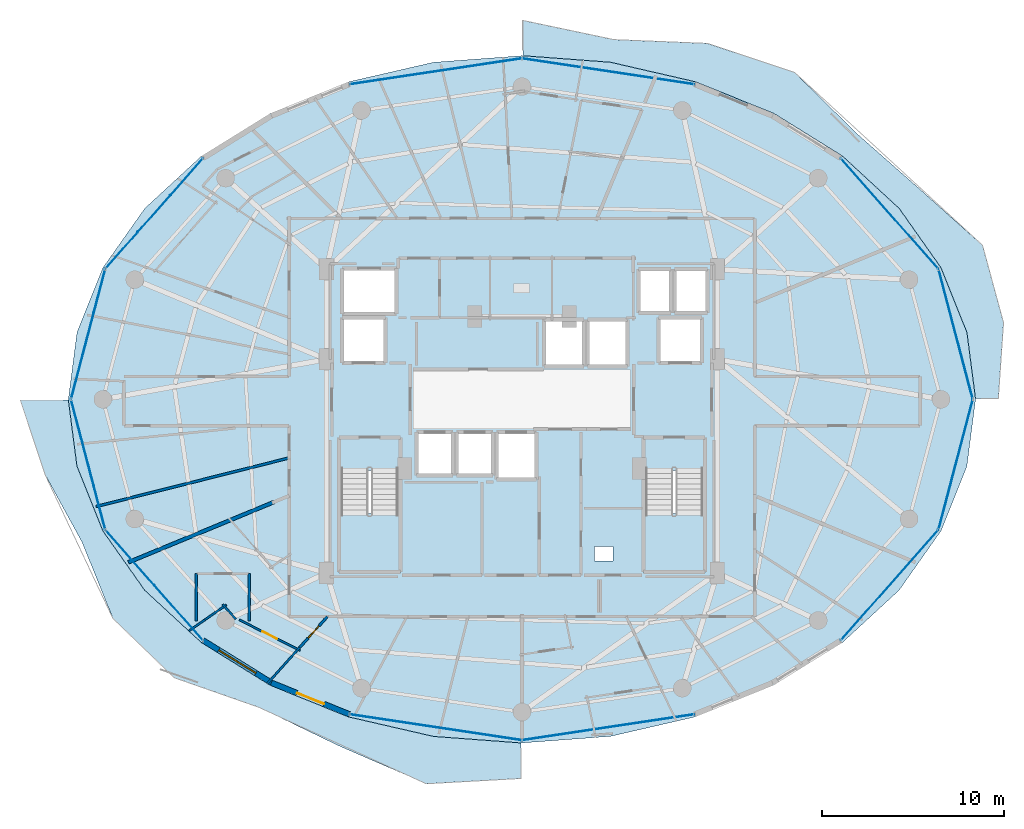
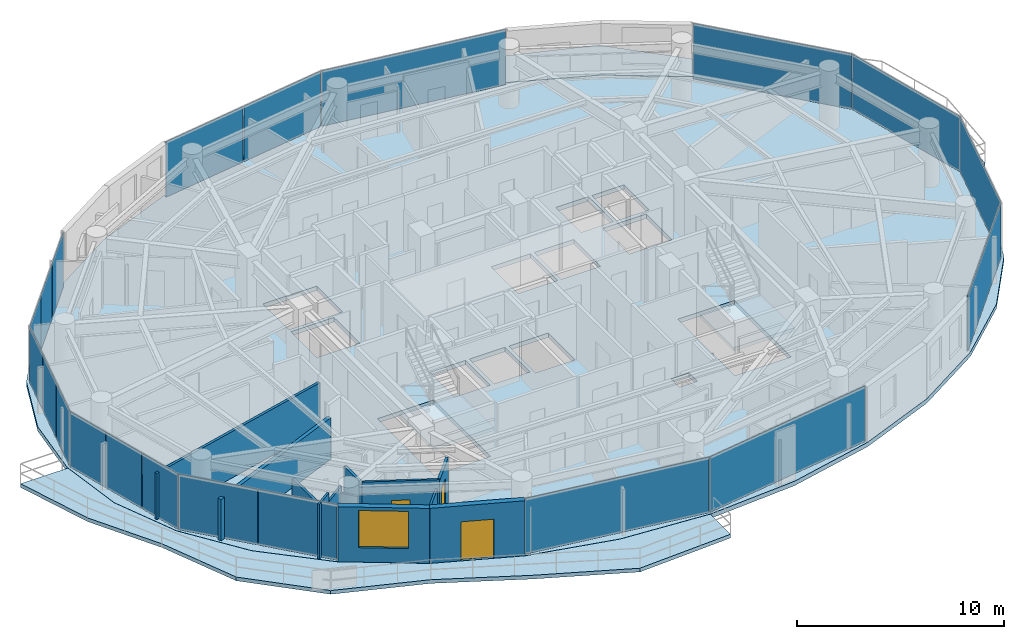
# One storey, part 19 of 28: 20 plates, 12 walls, 5 slabs, 3 doors, 1 window, 4 openings, 6 elements without a shape of their own.
"""IFC4 building model written with IfcOpenShell, lengths in metres."""

from ifc_helpers import new_model, si_unit, direction, frame, frame_2d, origin, origin_2d, place, context, subcontext, project, spatial, polyline, rectangle, outline, extrude, material, layer, layer_set, type_object, element, fill, aggregate, save


model = new_model("IFC4")

# Units and contexts
model_context = context("Model", 3, precision=1e-05, world=origin(), true_north=direction((0.0, 1.0)))
body_context = subcontext(model_context, "Body", "Model", "MODEL_VIEW")
ifc_project = project(units=[si_unit("LENGTHUNIT", "METRE"), si_unit("AREAUNIT", "SQUARE_METRE"), si_unit("VOLUMEUNIT", "CUBIC_METRE"), si_unit("PLANEANGLEUNIT", "RADIAN"), si_unit("MASSUNIT", "GRAM", prefix="KILO")], contexts=[model_context])

# Site, building, storey
site_placement = place(None, origin())
site = spatial("IfcSite", under=ifc_project, at=site_placement, CompositionType="ELEMENT")
building_placement = place(site_placement, origin())
building = spatial("IfcBuilding", under=site, at=building_placement, Name="Vorneva Point Tower", CompositionType="ELEMENT")
storey_placement = place(building_placement, frame((0.0, 0.0, 164.10009765625)))
storey = spatial("IfcBuildingStorey", under=building, at=storey_placement, Name="L44", CompositionType="ELEMENT", Elevation=164.10009765625)

# Curtain wall, plates
ifc_material_1 = material(Name="Pale anodised aluminium", Category="aluminium")
curtain_wall_type = type_object("IfcCurtainWallType", Name="CW-RES-SYS", PredefinedType="NOTDEFINED", material=ifc_material_1)
curtain_wall_1_placement = place(storey_placement, origin())
curtain_wall_1 = element("IfcCurtainWall", 1, at=curtain_wall_1_placement, inside=storey, type_object=curtain_wall_type, Name="L44 Unitised Curtain Wall CW-L44-R01", PredefinedType="NOTDEFINED")
ifc_material_2 = material(Name="Double low-e laminated glass IGU", Category="glass")
ifc_layer_1 = layer(ifc_material_2, 0.035888671875)
ifc_layer_set_1 = layer_set([ifc_layer_1], Name="Double low-e laminated glass IGU")
plate_type = type_object("IfcPlateType", Name="CW-PNL-VIS", PredefinedType="CURTAIN_PANEL", material=ifc_layer_set_1)
plate_1_placement = place(storey_placement, frame((58.22412109375, 15.783203125, -0.02001953125), z_axis=(0.0, 0.0, 1.0), x_axis=(0.662214727207, 0.749314123095, 0.0)))
plate_1 = element("IfcPlate", 2, at=plate_1_placement, type_object=plate_type, Name="CW-L44-R01 Glazed Panel 01", PredefinedType="CURTAIN_PANEL", context=body_context, shape_type="SweptSolid", body=[
    extrude(rectangle(XDim=8.068115234375, YDim=0.035888671875, at=origin_2d()), origin(), (0.0, 0.0, 1.0), 3.280029296875),
])
plate_2_placement = place(storey_placement, frame((61.856201171875, 22.412353515625, -0.02001953125), z_axis=(0.0, 0.0, 1.0), x_axis=(0.254433162972, 0.967090360608, 0.0)))
plate_2 = element("IfcPlate", 3, at=plate_2_placement, type_object=plate_type, Name="CW-L44-R01 Glazed Panel 02", PredefinedType="CURTAIN_PANEL", context=body_context, shape_type="SweptSolid", body=[
    extrude(rectangle(XDim=7.369384765625, YDim=0.035888671875, at=origin_2d()), origin(), (0.0, 0.0, 1.0), 3.280029296875),
])
plate_3_placement = place(storey_placement, frame((61.856201171875, 29.587646484375, -0.02001953125), z_axis=(0.0, 0.0, 1.0), x_axis=(-0.254433162972, 0.967090360608, 0.0)))
plate_3 = element("IfcPlate", 4, at=plate_3_placement, type_object=plate_type, Name="CW-L44-R01 Glazed Panel 03", PredefinedType="CURTAIN_PANEL", context=body_context, shape_type="SweptSolid", body=[
    extrude(rectangle(XDim=7.369384765625, YDim=0.035888671875, at=origin_2d()), origin(), (0.0, 0.0, 1.0), 3.280029296875),
])
plate_4_placement = place(storey_placement, frame((58.22412109375, 36.216796875, -0.02001953125), z_axis=(0.0, 0.0, 1.0), x_axis=(-0.662214727207, 0.749314123095, 0.0)))
plate_4 = element("IfcPlate", 5, at=plate_4_placement, type_object=plate_type, Name="CW-L44-R01 Glazed Panel 04", PredefinedType="CURTAIN_PANEL", context=body_context, shape_type="SweptSolid", body=[
    extrude(rectangle(XDim=8.068115234375, YDim=0.035888671875, at=origin_2d()), origin(), (0.0, 0.0, 1.0), 3.280029296875),
])
aggregate(curtain_wall_1, [plate_1, plate_2, plate_3, plate_4])

curtain_wall_2_placement = place(storey_placement, origin())
curtain_wall_2 = element("IfcCurtainWall", 6, at=curtain_wall_2_placement, inside=storey, type_object=curtain_wall_type, Name="L44 Unitised Curtain Wall CW-L44-R02", PredefinedType="NOTDEFINED")
plate_5_placement = place(storey_placement, frame((42.7451171875, 44.036376953125, -0.02001953125), z_axis=(0.0, 0.0, 1.0), x_axis=(-0.988878712919, 0.148724211669, 0.0)))
plate_5 = element("IfcPlate", 7, at=plate_5_placement, type_object=plate_type, Name="CW-L44-R02 Glazed Panel 01", PredefinedType="CURTAIN_PANEL", context=body_context, shape_type="SweptSolid", body=[
    extrude(rectangle(XDim=9.547119140625, YDim=0.035888671875, at=origin_2d()), origin(), (0.0, 0.0, 1.0), 3.280029296875),
])
plate_6_placement = place(storey_placement, frame((35.62744140625, 44.393310546875, -0.02001953125), z_axis=(0.0, 0.0, 1.0), x_axis=(-0.988878712919, -0.148724211669, 0.0)))
plate_6 = element("IfcPlate", 8, at=plate_6_placement, type_object=plate_type, Name="CW-L44-R02 Glazed Panel 02A", PredefinedType="CURTAIN_PANEL", context=body_context, shape_type="SweptSolid", body=[
    extrude(rectangle(XDim=4.74853515625, YDim=0.035888671875, at=origin_2d()), origin(), (0.0, 0.0, 1.0), 3.280029296875),
])
plate_7_placement = place(storey_placement, frame((30.882080078125, 43.679443359375, -0.02001953125), z_axis=(0.0, 0.0, 1.0), x_axis=(-0.988878712919, -0.148724211669, 0.0)))
plate_7 = element("IfcPlate", 9, at=plate_7_placement, type_object=plate_type, Name="CW-L44-R02 Glazed Panel 02B", PredefinedType="CURTAIN_PANEL", context=body_context, shape_type="SweptSolid", body=[
    extrude(rectangle(XDim=4.74853515625, YDim=0.035888671875, at=origin_2d()), origin(), (0.0, 0.0, 1.0), 3.280029296875),
])
aggregate(curtain_wall_2, [plate_5, plate_6, plate_7])

curtain_wall_3_placement = place(storey_placement, origin())
curtain_wall_3 = element("IfcCurtainWall", 10, at=curtain_wall_3_placement, inside=storey, type_object=curtain_wall_type, Name="L44 Unitised Curtain Wall CW-L44-R03", PredefinedType="NOTDEFINED")
plate_8_placement = place(storey_placement, frame((19.56787109375, 38.244384765625, -0.02001953125), z_axis=(0.0, 0.0, 1.0), x_axis=(-0.662214727207, -0.749314123095, 0.0)))
plate_8 = element("IfcPlate", 11, at=plate_8_placement, type_object=plate_type, Name="CW-L44-R03 Glazed Panel 01A", PredefinedType="CURTAIN_PANEL", context=body_context, shape_type="SweptSolid", body=[
    extrude(rectangle(XDim=2.656005859375, YDim=0.035888671875, at=origin_2d()), origin(), (0.0, 0.0, 1.0), 3.280029296875),
])
plate_9_placement = place(storey_placement, frame((17.77587890625, 36.216796875, -0.02001953125), z_axis=(0.0, 0.0, 1.0), x_axis=(-0.662214727207, -0.749314123095, 0.0)))
plate_9 = element("IfcPlate", 12, at=plate_9_placement, type_object=plate_type, Name="CW-L44-R03 Glazed Panel 01B", PredefinedType="CURTAIN_PANEL", context=body_context, shape_type="SweptSolid", body=[
    extrude(rectangle(XDim=2.656005859375, YDim=0.035888671875, at=origin_2d()), origin(), (0.0, 0.0, 1.0), 3.280029296875),
])
plate_10_placement = place(storey_placement, frame((15.98388671875, 34.189208984375, -0.02001953125), z_axis=(0.0, 0.0, 1.0), x_axis=(-0.662214727207, -0.749314123095, 0.0)))
plate_10 = element("IfcPlate", 13, at=plate_10_placement, type_object=plate_type, Name="CW-L44-R03 Glazed Panel 01C", PredefinedType="CURTAIN_PANEL", context=body_context, shape_type="SweptSolid", body=[
    extrude(rectangle(XDim=2.656005859375, YDim=0.035888671875, at=origin_2d()), origin(), (0.0, 0.0, 1.0), 3.280029296875),
])
plate_11_placement = place(storey_placement, frame((14.773193359375, 31.9794921875, -0.02001953125), z_axis=(0.0, 0.0, 1.0), x_axis=(-0.254433162972, -0.967090360608, 0.0)))
plate_11 = element("IfcPlate", 14, at=plate_11_placement, type_object=plate_type, Name="CW-L44-R03 Glazed Panel 02A", PredefinedType="CURTAIN_PANEL", context=body_context, shape_type="SweptSolid", body=[
    extrude(rectangle(XDim=2.423095703125, YDim=0.035888671875, at=origin_2d()), origin(), (0.0, 0.0, 1.0), 3.280029296875),
])
plate_12_placement = place(storey_placement, frame((14.143798828125, 29.587646484375, -0.02001953125), z_axis=(0.0, 0.0, 1.0), x_axis=(-0.254433162972, -0.967090360608, 0.0)))
plate_12 = element("IfcPlate", 15, at=plate_12_placement, type_object=plate_type, Name="CW-L44-R03 Glazed Panel 02B", PredefinedType="CURTAIN_PANEL", context=body_context, shape_type="SweptSolid", body=[
    extrude(rectangle(XDim=2.423095703125, YDim=0.035888671875, at=origin_2d()), origin(), (0.0, 0.0, 1.0), 3.280029296875),
])
plate_13_placement = place(storey_placement, frame((13.5146484375, 27.19580078125, -0.02001953125), z_axis=(0.0, 0.0, 1.0), x_axis=(-0.254433162972, -0.967090360608, 0.0)))
plate_13 = element("IfcPlate", 16, at=plate_13_placement, type_object=plate_type, Name="CW-L44-R03 Glazed Panel 02C", PredefinedType="CURTAIN_PANEL", context=body_context, shape_type="SweptSolid", body=[
    extrude(rectangle(XDim=2.423095703125, YDim=0.035888671875, at=origin_2d()), origin(), (0.0, 0.0, 1.0), 3.280029296875),
])
plate_14_placement = place(storey_placement, frame((13.5146484375, 24.80419921875, -0.02001953125), z_axis=(0.0, 0.0, 1.0), x_axis=(0.254433162972, -0.967090360608, 0.0)))
plate_14 = element("IfcPlate", 17, at=plate_14_placement, type_object=plate_type, Name="CW-L44-R03 Glazed Panel 03A", PredefinedType="CURTAIN_PANEL", context=body_context, shape_type="SweptSolid", body=[
    extrude(rectangle(XDim=2.423095703125, YDim=0.035888671875, at=origin_2d()), origin(), (0.0, 0.0, 1.0), 3.280029296875),
])
plate_15_placement = place(storey_placement, frame((14.143798828125, 22.412353515625, -0.02001953125), z_axis=(0.0, 0.0, 1.0), x_axis=(0.254433162972, -0.967090360608, 0.0)))
plate_15 = element("IfcPlate", 18, at=plate_15_placement, type_object=plate_type, Name="CW-L44-R03 Glazed Panel 03B", PredefinedType="CURTAIN_PANEL", context=body_context, shape_type="SweptSolid", body=[
    extrude(rectangle(XDim=2.423095703125, YDim=0.035888671875, at=origin_2d()), origin(), (0.0, 0.0, 1.0), 3.280029296875),
])
plate_16_placement = place(storey_placement, frame((14.773193359375, 20.0205078125, -0.02001953125), z_axis=(0.0, 0.0, 1.0), x_axis=(0.254433162972, -0.967090360608, 0.0)))
plate_16 = element("IfcPlate", 19, at=plate_16_placement, type_object=plate_type, Name="CW-L44-R03 Glazed Panel 03C", PredefinedType="CURTAIN_PANEL", context=body_context, shape_type="SweptSolid", body=[
    extrude(rectangle(XDim=2.423095703125, YDim=0.035888671875, at=origin_2d()), origin(), (0.0, 0.0, 1.0), 3.280029296875),
])
plate_17_placement = place(storey_placement, frame((16.431884765625, 17.303955078125, -0.02001953125), z_axis=(0.0, 0.0, 1.0), x_axis=(0.662214727207, -0.749314123095, 0.0)))
plate_17 = element("IfcPlate", 20, at=plate_17_placement, type_object=plate_type, Name="CW-L44-R03 Glazed Panel 04A", PredefinedType="CURTAIN_PANEL", context=body_context, shape_type="SweptSolid", body=[
    extrude(rectangle(XDim=4.009033203125, YDim=0.035888671875, at=origin_2d()), origin(), (0.0, 0.0, 1.0), 3.280029296875),
])
plate_18_placement = place(storey_placement, frame((19.119873046875, 14.262451171875, -0.02001953125), z_axis=(0.0, 0.0, 1.0), x_axis=(0.662214727207, -0.749314123095, 0.0)))
plate_18 = element("IfcPlate", 21, at=plate_18_placement, type_object=plate_type, Name="CW-L44-R03 Glazed Panel 04B", PredefinedType="CURTAIN_PANEL", context=body_context, shape_type="SweptSolid", body=[
    extrude(rectangle(XDim=4.009033203125, YDim=0.035888671875, at=origin_2d()), origin(), (0.0, 0.0, 1.0), 3.280029296875),
])
aggregate(curtain_wall_3, [plate_8, plate_9, plate_10, plate_11, plate_12, plate_13, plate_14, plate_15, plate_16, plate_17, plate_18])

curtain_wall_4_placement = place(storey_placement, origin())
curtain_wall_4 = element("IfcCurtainWall", 22, at=curtain_wall_4_placement, inside=storey, type_object=curtain_wall_type, Name="L44 Unitised Curtain Wall CW-L44-R04", PredefinedType="NOTDEFINED")
plate_19_placement = place(storey_placement, frame((33.2548828125, 7.963623046875, -0.02001953125), z_axis=(0.0, 0.0, 1.0), x_axis=(0.988878712919, -0.148724211669, 0.0)))
plate_19 = element("IfcPlate", 23, at=plate_19_placement, type_object=plate_type, Name="CW-L44-R04 Glazed Panel 01", PredefinedType="CURTAIN_PANEL", context=body_context, shape_type="SweptSolid", body=[
    extrude(rectangle(XDim=9.547119140625, YDim=0.035888671875, at=origin_2d()), origin(), (0.0, 0.0, 1.0), 3.280029296875),
])
plate_20_placement = place(storey_placement, frame((42.7451171875, 7.963623046875, -0.02001953125), z_axis=(0.0, 0.0, 1.0), x_axis=(0.988878712919, 0.148724211669, 0.0)))
plate_20 = element("IfcPlate", 24, at=plate_20_placement, type_object=plate_type, Name="CW-L44-R04 Glazed Panel 02", PredefinedType="CURTAIN_PANEL", context=body_context, shape_type="SweptSolid", body=[
    extrude(rectangle(XDim=9.547119140625, YDim=0.035888671875, at=origin_2d()), origin(), (0.0, 0.0, 1.0), 3.280029296875),
])
aggregate(curtain_wall_4, [plate_19, plate_20])

# Slabs
ifc_material_3 = material(Name="Concrete B50 (C40/50)", Category="concrete")
ifc_layer_2 = layer(ifc_material_3, 0.219970703125)
ifc_layer_set_2 = layer_set([ifc_layer_2], Name="Concrete B50 (C40/50)")
slab_type_1 = type_object("IfcSlabType", Name="SLB-BAL-220", PredefinedType="FLOOR", material=ifc_layer_set_2)
slab_1_placement = place(storey_placement, frame((0.0, 0.0, -0.22021484375)))
element("IfcSlab", 25, at=slab_1_placement, inside=storey, type_object=slab_type_1, Name="L44 Cantilevered Wave Balcony NE", PredefinedType="FLOOR", context=body_context, shape_type="SweptSolid", body=[
    extrude(outline(polyline([(38.050048828125, 46.839599609375), (38.050048828125, 44.900390625), (42.867919921875, 44.540771484375), (42.8681640625, 44.540771484375), (42.868408203125, 44.540771484375), (47.548828125, 43.465087890625), (47.54931640625, 43.465087890625), (47.549560546875, 43.465087890625), (51.863037109375, 41.718505859375), (51.86328125, 41.718505859375), (51.863525390625, 41.71826171875), (55.644287109375, 39.36767578125), (55.644775390625, 39.367431640625), (55.64501953125, 39.3671875), (58.747802734375, 36.503173828125), (58.748291015625, 36.5029296875), (58.74853515625, 36.502685546875), (61.05419921875, 33.235107421875), (61.05419921875, 33.234619140625), (61.054443359375, 33.234130859375), (62.474365234375, 29.688720703125), (62.474365234375, 29.6884765625), (62.474609375, 29.68798828125), (62.474609375, 29.687744140625), (62.947509765625, 26.050048828125), (64.203369140625, 26.050048828125), (64.48876953125, 30.217041015625), (63.3291015625, 34.478515625), (59.916015625, 37.532958984375), (56.52099609375, 40.524169921875), (53.0048828125, 43.973876953125), (48.2119140625, 45.577392578125), (43.055908203125, 45.7861328125), (38.050048828125, 46.839599609375)])), origin(), (0.0, 0.0, 1.0), 0.22021484375),
])
slab_2_placement = place(storey_placement, frame((0.0, 0.0, -0.22021484375)))
element("IfcSlab", 26, at=slab_2_placement, inside=storey, type_object=slab_type_1, Name="L44 Cantilevered Wave Balcony SW", PredefinedType="FLOOR", context=body_context, shape_type="SweptSolid", body=[
    extrude(outline(polyline([(37.949951171875, 5.147216796875), (37.949951171875, 7.099609375), (33.132080078125, 7.459228515625), (33.1318359375, 7.459228515625), (33.131591796875, 7.459228515625), (28.451171875, 8.534912109375), (28.45068359375, 8.534912109375), (28.450439453125, 8.534912109375), (24.136962890625, 10.281494140625), (24.13671875, 10.281494140625), (24.136474609375, 10.28173828125), (20.355712890625, 12.63232421875), (20.355224609375, 12.632568359375), (20.35498046875, 12.6328125), (17.252197265625, 15.496826171875), (17.251708984375, 15.4970703125), (17.25146484375, 15.497314453125), (14.94580078125, 18.764892578125), (14.94580078125, 18.765380859375), (14.945556640625, 18.765869140625), (13.525634765625, 22.311279296875), (13.525634765625, 22.3115234375), (13.525390625, 22.31201171875), (13.525390625, 22.312255859375), (13.052490234375, 25.949951171875), (10.41650390625, 25.949951171875), (11.775390625, 21.852294921875), (13.8056640625, 18.14208984375), (15.500732421875, 13.952392578125), (18.88134765625, 10.686767578125), (23.520751953125, 9.064697265625), (27.948486328125, 6.93359375), (32.73974609375, 4.85595703125), (37.949951171875, 5.147216796875)])), origin(), (0.0, 0.0, 1.0), 0.22021484375),
])

# Stair, slab
stair_type = type_object("IfcStairType", Name="ST-DOG-1500", PredefinedType="HALF_TURN_STAIR", material=ifc_material_3)
stair_1_placement = place(storey_placement, origin())
stair_1 = element("IfcStair", 27, at=stair_1_placement, inside=storey, type_object=stair_type, Name="L44 ST1", PredefinedType="HALF_TURN_STAIR")
ifc_layer_3 = layer(ifc_material_3, 0.199951171875)
ifc_layer_set_3 = layer_set([ifc_layer_3], Name="Concrete B50 (C40/50)")
slab_type_2 = type_object("IfcSlabType", Name="SLB-LND-200", PredefinedType="LANDING", material=ifc_layer_set_3)
slab_3_placement = place(storey_placement, frame((0.0, 0.0, 1.5498046875)))
slab_3 = element("IfcSlab", 28, at=slab_3_placement, type_object=slab_type_2, Name="ST1 landing 1", PredefinedType="LANDING", context=body_context, shape_type="SweptSolid", body=[
    extrude(outline(polyline([(27.929931640625, 16.47998046875), (31.320068359375, 16.47998046875), (31.320068359375, 19.72998046875), (27.929931640625, 19.72998046875), (27.929931640625, 16.47998046875)])), origin(), (0.0, 0.0, 1.0), 0.2001953125),
])
aggregate(stair_1, [slab_3])

stair_2_placement = place(storey_placement, origin())
stair_2 = element("IfcStair", 29, at=stair_2_placement, inside=storey, type_object=stair_type, Name="L44 ST2", PredefinedType="HALF_TURN_STAIR")
slab_4_placement = place(storey_placement, frame((0.0, 0.0, 1.5498046875)))
slab_4 = element("IfcSlab", 30, at=slab_4_placement, type_object=slab_type_2, Name="ST2 landing 1", PredefinedType="LANDING", context=body_context, shape_type="SweptSolid", body=[
    extrude(outline(polyline([(44.679931640625, 16.47998046875), (48.070068359375, 16.47998046875), (48.070068359375, 19.72998046875), (44.679931640625, 19.72998046875), (44.679931640625, 16.47998046875)])), origin(), (0.0, 0.0, 1.0), 0.2001953125),
])
aggregate(stair_2, [slab_4])

# Slab
ifc_layer_4 = layer(ifc_material_3, 0.260009765625)
ifc_layer_set_4 = layer_set([ifc_layer_4], Name="Concrete B50 (C40/50)")
slab_type_3 = type_object("IfcSlabType", Name="SLB-TYP-260", PredefinedType="FLOOR", material=ifc_layer_set_4)
slab_5_placement = place(storey_placement, frame((0.0, 0.0, -0.260009765625)))
element("IfcSlab", 31, at=slab_5_placement, inside=storey, type_object=slab_type_3, Name="L44 Structural Floor Plate", PredefinedType="FLOOR", context=body_context, shape_type="SweptSolid", body=[
    extrude(outline(polyline([(62.949951171875, 26.0), (62.470703125, 29.687255859375), (61.05078125, 33.232666015625), (58.7451171875, 36.500244140625), (55.642333984375, 39.3642578125), (51.861572265625, 41.71484375), (47.548095703125, 43.461181640625), (42.867431640625, 44.536865234375), (38.0, 44.89990234375), (33.132568359375, 44.536865234375), (28.451904296875, 43.461181640625), (24.138427734375, 41.71484375), (20.357666015625, 39.3642578125), (17.2548828125, 36.500244140625), (14.94921875, 33.232666015625), (13.529296875, 29.687255859375), (13.050048828125, 26.0), (13.529296875, 22.312744140625), (14.94921875, 18.767333984375), (17.2548828125, 15.499755859375), (20.357666015625, 12.6357421875), (24.138427734375, 10.28515625), (28.451904296875, 8.538818359375), (33.132568359375, 7.463134765625), (38.0, 7.10009765625), (42.867431640625, 7.463134765625), (47.548095703125, 8.538818359375), (51.861572265625, 10.28515625), (55.642333984375, 12.6357421875), (58.7451171875, 15.499755859375), (61.05078125, 18.767333984375), (62.470703125, 22.312744140625), (62.949951171875, 26.0)]), holes=[polyline([(32.199951171875, 21.800048828125), (34.199951171875, 21.800048828125), (34.199951171875, 24.199951171875), (32.199951171875, 24.199951171875), (32.199951171875, 21.800048828125)]), polyline([(34.39990234375, 21.800048828125), (36.39990234375, 21.800048828125), (36.39990234375, 24.199951171875), (34.39990234375, 24.199951171875), (34.39990234375, 21.800048828125)]), polyline([(36.60009765625, 21.60009765625), (38.800048828125, 21.60009765625), (38.800048828125, 24.199951171875), (36.60009765625, 24.199951171875), (36.60009765625, 21.60009765625)]), polyline([(39.199951171875, 27.800048828125), (41.39990234375, 27.800048828125), (41.39990234375, 30.39990234375), (39.199951171875, 30.39990234375), (39.199951171875, 27.800048828125)]), polyline([(41.60009765625, 27.800048828125), (43.800048828125, 27.800048828125), (43.800048828125, 30.39990234375), (41.60009765625, 30.39990234375), (41.60009765625, 27.800048828125)]), polyline([(44.39990234375, 30.739990234375), (46.199951171875, 30.739990234375), (46.199951171875, 33.159912109375), (44.39990234375, 33.159912109375), (44.39990234375, 30.739990234375)]), polyline([(46.39990234375, 30.739990234375), (48.199951171875, 30.739990234375), (48.199951171875, 33.159912109375), (46.39990234375, 33.159912109375), (46.39990234375, 30.739990234375)]), polyline([(28.10009765625, 28.0), (30.5, 28.0), (30.5, 30.5), (28.10009765625, 30.5), (28.10009765625, 28.0)]), polyline([(45.5, 28.0), (47.89990234375, 28.0), (47.89990234375, 30.5), (45.5, 30.5), (45.5, 28.0)]), polyline([(28.10009765625, 30.699951171875), (31.10009765625, 30.699951171875), (31.10009765625, 33.199951171875), (28.10009765625, 33.199951171875), (28.10009765625, 30.699951171875)]), polyline([(28.050048828125, 16.60009765625), (31.199951171875, 16.60009765625), (31.199951171875, 22.080078125), (28.050048828125, 22.080078125), (28.050048828125, 16.60009765625)]), polyline([(44.800048828125, 16.60009765625), (47.949951171875, 16.60009765625), (47.949951171875, 22.080078125), (44.800048828125, 22.080078125), (44.800048828125, 16.60009765625)]), polyline([(42.0, 17.10009765625), (43.0, 17.10009765625), (43.0, 17.89990234375), (42.0, 17.89990234375), (42.0, 17.10009765625)])]), origin(), (0.0, 0.0, 1.0), 0.260009765625),
])

# Wall, opening, window
ifc_material_4 = material(Name="Precast concrete B50 (C40/50)", Category="concrete")
ifc_layer_5 = layer(ifc_material_4, 0.300048828125)
ifc_layer_set_5 = layer_set([ifc_layer_5], Name="Precast concrete B50 (C40/50)")
wall_type_1 = type_object("IfcWallType", Name="WL-EXT-300", PredefinedType="STANDARD", material=ifc_layer_set_5)
wall_1_placement = place(storey_placement, frame((20.4638671875, 12.74169921875, 0.0), z_axis=(0.0, 0.0, 1.0), x_axis=(0.849721181976, -0.527232313977, 0.0)))
wall_1 = element("IfcWall", 32, at=wall_1_placement, inside=storey, type_object=wall_type_1, Name="L44 Pale-Metal Facade Spandrel Wall 11.1", PredefinedType="STANDARD", context=body_context, shape_type="SweptSolid", body=[
    extrude(rectangle(XDim=4.422607421875, YDim=0.300048828125, at=frame_2d((2.21142578125, 0.0))), origin(), (0.0, 0.0, 1.0), 3.239990234375),
])
opening_1_placement = place(wall_1_placement, frame((1.011474609375, 0.0, 0.85009765625)))
opening_1 = element("IfcOpeningElement", 33, at=opening_1_placement, cuts=wall_1, Name="Opening W-03", PredefinedType="OPENING", context=body_context, shape_type="SweptSolid", body=[
    extrude(rectangle(XDim=2.39990234375, YDim=2.18994140625, at=frame_2d((1.199951171875, 1.094970703125))), frame((0.0, 0.1650390625, 0.0), z_axis=(0.0, -1.0, 0.0), x_axis=(1.0, 0.0, 0.0)), (0.0, 0.0, 1.0), 0.329833984375),
])
window_type = type_object("IfcWindowType", Name="WN-RES-2400", PartitioningType="SINGLE_PANEL", PredefinedType="WINDOW", material=ifc_material_2)
window_placement = place(opening_1_placement, origin())
window = element("IfcWindow", 34, at=window_placement, inside=storey, type_object=window_type, Name="L44 Facade Window 11", OverallHeight=2.18994140625, OverallWidth=2.39990234375, PartitioningType="SINGLE_PANEL", PredefinedType="WINDOW", context=body_context, shape_type="SweptSolid", body=[
    extrude(rectangle(XDim=2.39990234375, YDim=2.18994140625, at=frame_2d((1.199951171875, 1.094970703125))), frame((0.0, 0.030029296875, 0.0), z_axis=(0.0, -1.0, 0.0), x_axis=(1.0, 0.0, 0.0)), (0.0, 0.0, 1.0), 0.06005859375),
])
fill(opening_1, window)

# Wall, opening, door
wall_2_placement = place(storey_placement, frame((24.221923828125, 10.409912109375, 0.0), z_axis=(0.0, 0.0, 1.0), x_axis=(0.927156504392, -0.374674280359, 0.0)))
wall_2 = element("IfcWall", 35, at=wall_2_placement, inside=storey, type_object=wall_type_1, Name="L44 Pale-Metal Facade Spandrel Wall 11.2", PredefinedType="STANDARD", context=body_context, shape_type="SweptSolid", body=[
    extrude(rectangle(XDim=4.62451171875, YDim=0.300048828125, at=frame_2d((2.312255859375, 0.0))), origin(), (0.0, 0.0, 1.0), 3.239990234375),
])
opening_2_placement = place(wall_2_placement, frame((1.51220703125, 0.0, 0.0)))
opening_2 = element("IfcOpeningElement", 36, at=opening_2_placement, cuts=wall_2, Name="Opening BD-01", PredefinedType="OPENING", context=body_context, shape_type="SweptSolid", body=[
    extrude(rectangle(XDim=1.60009765625, YDim=2.300048828125, at=frame_2d((0.800048828125, 1.14990234375))), frame((0.0, 0.1650390625, 0.0), z_axis=(0.0, -1.0, 0.0), x_axis=(1.0, 0.0, 0.0)), (0.0, 0.0, 1.0), 0.329833984375),
])
door_type_1 = type_object("IfcDoorType", Name="DR-BAL-1600", OperationType="SLIDING_TO_LEFT", PredefinedType="DOOR", material=ifc_material_1)
door_1_placement = place(opening_2_placement, origin())
door_1 = element("IfcDoor", 37, at=door_1_placement, inside=storey, type_object=door_type_1, Name="L44 Balcony Terrace Access Door 11", OperationType="SLIDING_TO_LEFT", OverallHeight=2.300048828125, OverallWidth=1.60009765625, PredefinedType="DOOR", context=body_context, shape_type="SweptSolid", body=[
    extrude(rectangle(XDim=1.60009765625, YDim=2.300048828125, at=frame_2d((0.800048828125, 1.14990234375))), frame((0.0, 0.02490234375, 0.0), z_axis=(0.0, -1.0, 0.0), x_axis=(1.0, 0.0, 0.0)), (0.0, 0.0, 1.0), 0.050048828125),
])
fill(opening_2, door_1)

ifc_material_5 = material(Name="Fire-rated acoustic gypsum stud partition", Category="gypsum")
ifc_layer_6 = layer(ifc_material_5, 0.110107421875)
ifc_layer_set_6 = layer_set([ifc_layer_6], Name="Fire-rated acoustic gypsum stud partition")
wall_type_2 = type_object("IfcWallType", Name="WL-PART-110", PredefinedType="PARTITIONING", material=ifc_layer_set_6)
wall_3_placement = place(storey_placement, frame((22.45703125, 13.8720703125, 0.0), z_axis=(0.0, 0.0, 1.0), x_axis=(0.892531160695, -0.450985728364, 0.0)))
wall_3 = element("IfcWall", 38, at=wall_3_placement, inside=storey, type_object=wall_type_2, Name="L44 Interior Partition 101", PredefinedType="PARTITIONING", context=body_context, shape_type="SweptSolid", body=[
    extrude(rectangle(XDim=3.75, YDim=0.110107421875, at=frame_2d((1.875, 0.0))), origin(), (0.0, 0.0, 1.0), 3.239990234375),
])
opening_3_placement = place(wall_3_placement, frame((1.425048828125, 0.0, 0.0)))
opening_3 = element("IfcOpeningElement", 39, at=opening_3_placement, cuts=wall_3, Name="Opening ID-01", PredefinedType="OPENING", context=body_context, shape_type="SweptSolid", body=[
    extrude(rectangle(XDim=0.89990234375, YDim=2.10009765625, at=frame_2d((0.449951171875, 1.050048828125))), frame((0.0, 0.06982421875, 0.0), z_axis=(0.0, -1.0, 0.0), x_axis=(1.0, 0.0, 0.0)), (0.0, 0.0, 1.0), 0.139892578125),
])
ifc_material_6 = material(Name="Engineered oak fire-rated door leaf", Category="wood")
door_type_2 = type_object("IfcDoorType", Name="DR-ROOM-900", OperationType="NOTDEFINED", PredefinedType="DOOR", material=ifc_material_6)
door_2_placement = place(opening_3_placement, origin())
door_2 = element("IfcDoor", 40, at=door_2_placement, inside=storey, type_object=door_type_2, Name="L44 Door Living and Dining Room L44-03 / Kitchen L44-03", OperationType="SINGLE_SWING_RIGHT", OverallHeight=2.10009765625, OverallWidth=0.89990234375, PredefinedType="DOOR", context=body_context, shape_type="SweptSolid", body=[
    extrude(rectangle(XDim=0.89990234375, YDim=2.10009765625, at=frame_2d((0.449951171875, 1.050048828125))), frame((0.0, 0.02490234375, 0.0), z_axis=(0.0, -1.0, 0.0), x_axis=(1.0, 0.0, 0.0)), (0.0, 0.0, 1.0), 0.050048828125),
])
fill(opening_3, door_2)

# Walls
wall_4_placement = place(storey_placement, frame((25.7724609375, 12.348388671875, 0.0), z_axis=(0.0, 0.0, 1.0), x_axis=(-0.667094551448, -0.744973059532, 0.0)))
element("IfcWall", 41, at=wall_4_placement, inside=storey, type_object=wall_type_2, Name="L44 Interior Partition 102", PredefinedType="PARTITIONING", context=body_context, shape_type="SweptSolid", body=[
    extrude(rectangle(XDim=2.642822265625, YDim=0.110107421875, at=frame_2d((1.3212890625, 0.0))), origin(), (0.0, 0.0, 1.0), 2.727783203125),
])
wall_5_placement = place(storey_placement, frame((19.69091796875, 13.26904296875, 0.0), z_axis=(0.0, 0.0, 1.0), x_axis=(0.821239462259, 0.57058368854, 0.0)))
element("IfcWall", 42, at=wall_5_placement, inside=storey, type_object=wall_type_2, Name="L44 Interior Partition 103", PredefinedType="PARTITIONING", context=body_context, shape_type="SweptSolid", body=[
    extrude(rectangle(XDim=1.0712890625, YDim=0.110107421875, at=frame_2d((0.53564453125, 0.0))), origin(), (0.0, 0.0, 1.0), 3.239990234375),
])
wall_6_placement = place(storey_placement, frame((22.253662109375, 13.9169921875, 0.0), z_axis=(0.0, 0.0, 1.0), x_axis=(-0.662363540736, 0.749182581154, 0.0)))
element("IfcWall", 43, at=wall_6_placement, inside=storey, type_object=wall_type_2, Name="L44 Interior Partition 108", PredefinedType="PARTITIONING", context=body_context, shape_type="SweptSolid", body=[
    extrude(rectangle(XDim=1.076904296875, YDim=0.110107421875, at=frame_2d((0.53857421875, 0.0))), origin(), (0.0, 0.0, 1.0), 2.431884765625),
])
wall_7_placement = place(storey_placement, frame((21.747802734375, 14.698974609375, 0.0), z_axis=(0.0, 0.0, 1.0), x_axis=(-0.821040550937, -0.570869874592, 0.0)))
element("IfcWall", 44, at=wall_7_placement, inside=storey, type_object=wall_type_2, Name="L44 Interior Partition 109", PredefinedType="PARTITIONING", context=body_context, shape_type="SweptSolid", body=[
    extrude(rectangle(XDim=1.5439453125, YDim=0.110107421875, at=frame_2d((0.77197265625, 0.0))), origin(), (0.0, 0.0, 1.0), 2.727783203125),
])
ifc_layer_7 = layer(ifc_material_5, 0.139892578125)
ifc_layer_set_7 = layer_set([ifc_layer_7], Name="Fire-rated acoustic gypsum stud partition")
wall_type_3 = type_object("IfcWallType", Name="WL-PART-140", PredefinedType="PARTITIONING", material=ifc_layer_set_7)
wall_8_placement = place(storey_placement, frame((14.575927734375, 20.10302734375, 0.0), z_axis=(0.0, 0.0, 1.0), x_axis=(0.969732134757, 0.244171224389, 0.0)))
element("IfcWall", 45, at=wall_8_placement, inside=storey, type_object=wall_type_3, Name="L44 Interior Partition 096", PredefinedType="PARTITIONING", context=body_context, shape_type="SweptSolid", body=[
    extrude(rectangle(XDim=10.95556640625, YDim=0.139892578125, at=frame_2d((5.477783203125, 0.0))), origin(), (0.0, 0.0, 1.0), 2.727783203125),
])
wall_9_placement = place(storey_placement, frame((20.09912109375, 13.80908203125, 0.0), z_axis=(0.0, 0.0, 1.0), x_axis=(0.0, 1.0, 0.0)))
element("IfcWall", 46, at=wall_9_placement, inside=storey, type_object=wall_type_3, Name="L44 Interior Partition 104", PredefinedType="PARTITIONING", context=body_context, shape_type="SweptSolid", body=[
    extrude(rectangle(XDim=2.599853515625, YDim=0.139892578125, at=frame_2d((1.2998046875, 0.0))), origin(), (0.0, 0.0, 1.0), 2.727783203125),
])
wall_10_placement = place(storey_placement, frame((22.9990234375, 16.408935546875, 0.0), z_axis=(0.0, 0.0, 1.0), x_axis=(0.0, -1.0, 0.0)))
element("IfcWall", 47, at=wall_10_placement, inside=storey, type_object=wall_type_3, Name="L44 Interior Partition 106", PredefinedType="PARTITIONING", context=body_context, shape_type="SweptSolid", body=[
    extrude(rectangle(XDim=2.599853515625, YDim=0.139892578125, at=frame_2d((1.2998046875, 0.0))), origin(), (0.0, 0.0, 1.0), 2.431884765625),
])

# Wall, opening, door
wall_11_placement = place(storey_placement, frame((25.772705078125, 12.34814453125, 0.0), z_axis=(0.0, 0.0, 1.0), x_axis=(0.667197684579, 0.744880694939, 0.0)))
wall_11 = element("IfcWall", 48, at=wall_11_placement, inside=storey, type_object=wall_type_3, Name="L44 Interior Partition 107", PredefinedType="PARTITIONING", context=body_context, shape_type="SweptSolid", body=[
    extrude(rectangle(XDim=2.284912109375, YDim=0.139892578125, at=frame_2d((1.142578125, 0.0))), origin(), (0.0, 0.0, 1.0), 2.885986328125),
])
opening_4_placement = place(wall_11_placement, frame((0.6923828125, 0.0, 0.0)))
opening_4 = element("IfcOpeningElement", 49, at=opening_4_placement, cuts=wall_11, Name="Opening ID-01", PredefinedType="OPENING", context=body_context, shape_type="SweptSolid", body=[
    extrude(rectangle(XDim=0.89990234375, YDim=2.10009765625, at=frame_2d((0.449951171875, 1.050048828125))), frame((0.0, 0.0849609375, 0.0), z_axis=(0.0, -1.0, 0.0), x_axis=(1.0, 0.0, 0.0)), (0.0, 0.0, 1.0), 0.169677734375),
])
door_3_placement = place(opening_4_placement, origin())
door_3 = element("IfcDoor", 50, at=door_3_placement, inside=storey, type_object=door_type_2, Name="L44 Door Living and Dining Room L44-03 / Master Bedroom L44-03.1", OperationType="SINGLE_SWING_RIGHT", OverallHeight=2.10009765625, OverallWidth=0.89990234375, PredefinedType="DOOR", context=body_context, shape_type="SweptSolid", body=[
    extrude(rectangle(XDim=0.89990234375, YDim=2.10009765625, at=frame_2d((0.449951171875, 1.050048828125))), frame((0.0, 0.02490234375, 0.0), z_axis=(0.0, -1.0, 0.0), x_axis=(1.0, 0.0, 0.0)), (0.0, 0.0, 1.0), 0.050048828125),
])
fill(opening_4, door_3)

# Wall
ifc_material_7 = material(Name="Autoclaved aerated concrete blockwork", Category="masonry")
ifc_layer_8 = layer(ifc_material_7, 0.199951171875)
ifc_layer_set_8 = layer_set([ifc_layer_8], Name="Autoclaved aerated concrete blockwork")
wall_type_4 = type_object("IfcWallType", Name="WL-PART-200", PredefinedType="PARTITIONING", material=ifc_layer_set_8)
wall_12_placement = place(storey_placement, frame((16.35498046875, 17.034912109375, 0.0), z_axis=(0.0, 0.0, 1.0), x_axis=(0.923885339237, 0.382669413387, 0.0)))
element("IfcWall", 51, at=wall_12_placement, inside=storey, type_object=wall_type_4, Name="L44 Interior Partition 097", PredefinedType="PARTITIONING", context=body_context, shape_type="SweptSolid", body=[
    extrude(rectangle(XDim=8.689453125, YDim=0.199951171875, at=frame_2d((4.3447265625, 0.0))), origin(), (0.0, 0.0, 1.0), 2.431884765625),
])

save(model, "model.ifc")
